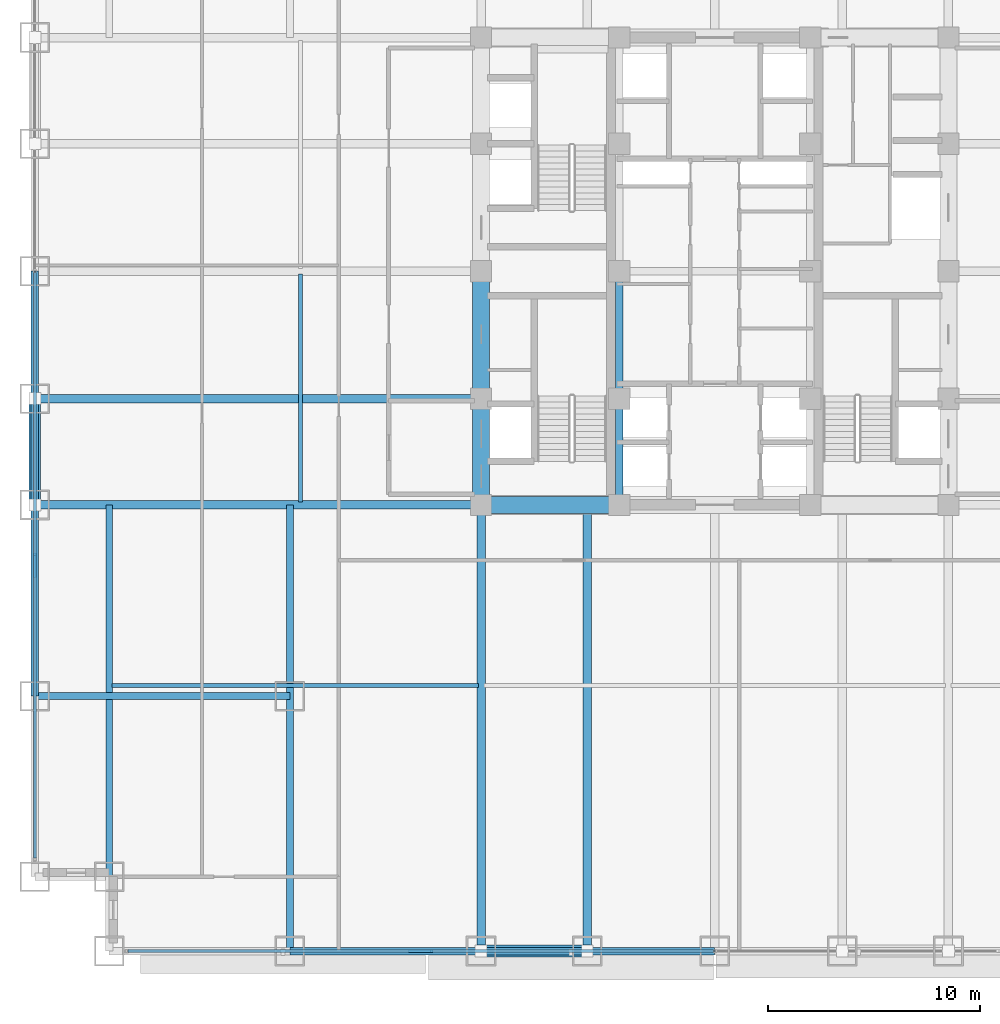
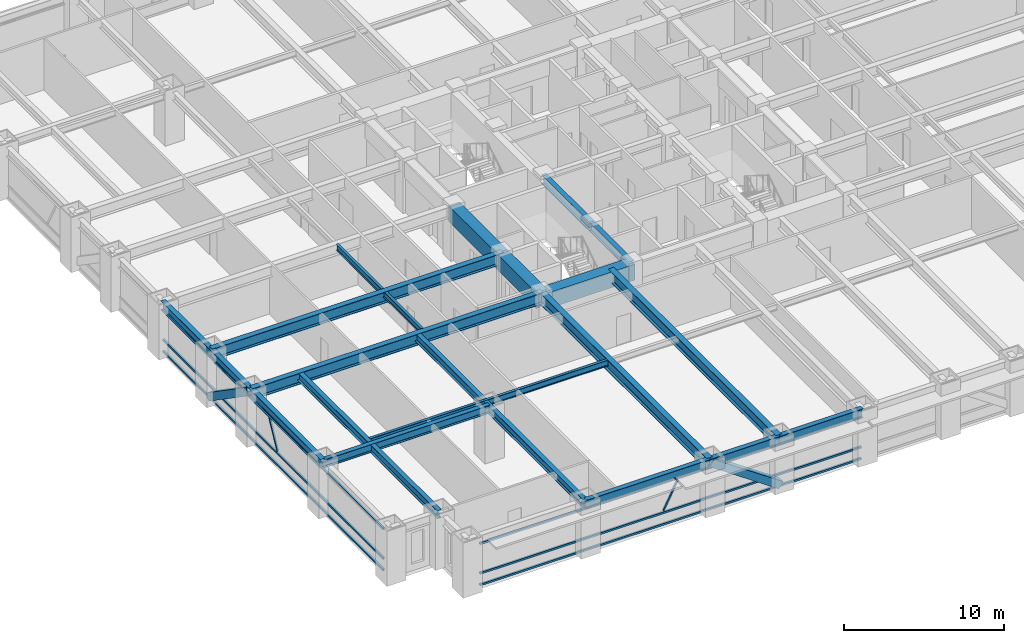
# One storey, part 3 of 32: 20 beams, 10 members, 2 elements without a shape of their own.
"""IFC4 building model written with IfcOpenShell, lengths in metres."""

import ifcopenshell
import ifcopenshell.guid

model = None  # the IFC model being written
_history = None  # IfcOwnerHistory: only IFC2X3 demands one
_inside = {}  # id of a spatial element -> (the spatial element, [elements in it])
_under = {}  # id of a project, library or spatial element -> (it, [spatial elements below it])
_declared = {}  # id of a project -> (the project, [libraries it declares])
_typed = {}  # id of a type object -> (the type object, [elements of that type])
_made_of = {}  # id of a material, layer set ... -> (it, [elements and type objects made of it])


def new_model(schema):
    """Start an empty IFC model of exactly this schema.

    Asked for "IFC4X3", IfcOpenShell would pick the latest addendum, in which some entities
    have other attributes; the version numbers below select the first issue.
    IFC2X3 requires an IfcOwnerHistory on every rooted entity: one is made here for all.
    """
    global model, _history
    if schema == "IFC4X3":
        model = ifcopenshell.file(schema_version=(4, 3, 0, 0))
    else:
        model = ifcopenshell.file(schema=schema)
    _inside.clear()
    _under.clear()
    _declared.clear()
    _typed.clear()
    _made_of.clear()
    _history = None
    if model.schema == "IFC2X3":
        org = make("IfcOrganization", Name="unknown")
        user = make(
            "IfcPersonAndOrganization",
            ThePerson=make("IfcPerson", FamilyName="unknown"),
            TheOrganization=org,
        )
        app = make(
            "IfcApplication",
            ApplicationDeveloper=org,
            Version="unknown",
            ApplicationFullName="unknown",
            ApplicationIdentifier="unknown",
        )
        _history = make(
            "IfcOwnerHistory",
            OwningUser=user,
            OwningApplication=app,
            ChangeAction="ADDED",
            CreationDate=0,
        )
    return model


def make(cls, **values):
    """One entity of the class cls with the attributes given. An attribute that is None is left unset."""
    return model.create_entity(
        cls, **{name: value for name, value in values.items() if value is not None}
    )


def rooted(cls, **values):
    """An entity with a GlobalId (a new one), such as an element, a storey or a relation."""
    return make(cls, GlobalId=ifcopenshell.guid.new(), OwnerHistory=_history, **values)


def si_unit(unit_type, name, prefix=None):
    """IfcSIUnit, for example si_unit("LENGTHUNIT", "METRE", prefix="MILLI")."""
    return make("IfcSIUnit", UnitType=unit_type, Prefix=prefix, Name=name)


def assignment(units):
    """IfcUnitAssignment: the units of a project."""
    return None if units is None else make("IfcUnitAssignment", Units=units)


def point(xyz):
    """IfcCartesianPoint."""
    return None if xyz is None else make("IfcCartesianPoint", Coordinates=xyz)


def direction(xyz):
    """IfcDirection."""
    return None if xyz is None else make("IfcDirection", DirectionRatios=xyz)


def frame(location, z_axis=None, x_axis=None):
    """IfcAxis2Placement3D, a coordinate frame: its origin and axes. An axis left out is left unset."""
    return make(
        "IfcAxis2Placement3D",
        Location=point(location),
        Axis=direction(z_axis),
        RefDirection=direction(x_axis),
    )


def frame_2d(location, x_axis=None):
    """IfcAxis2Placement2D, a coordinate frame in the plane: its origin and x axis."""
    return make(
        "IfcAxis2Placement2D", Location=point(location), RefDirection=direction(x_axis)
    )


def origin():
    """The frame at (0, 0, 0) with its axes left unset."""
    return frame((0.0, 0.0, 0.0))


def origin_2d():
    """The frame at (0, 0) in the plane with its x axis left unset."""
    return frame_2d((0.0, 0.0))


def place(relative_to, where):
    """IfcLocalPlacement: puts the frame where relative to a parent placement (None: the world)."""
    return make(
        "IfcLocalPlacement", PlacementRelTo=relative_to, RelativePlacement=where
    )


def context(
    kind, dimensions, precision=None, world=None, true_north=None, identifier=None
):
    """IfcGeometricRepresentationContext, for example the 3D "Model" context."""
    return make(
        "IfcGeometricRepresentationContext",
        ContextIdentifier=identifier,
        ContextType=kind,
        CoordinateSpaceDimension=dimensions,
        Precision=precision,
        WorldCoordinateSystem=world,
        TrueNorth=true_north,
    )


def subcontext(parent, identifier, kind, view, scale=None):
    """IfcGeometricRepresentationSubContext, for example "Body" below "Model"."""
    return make(
        "IfcGeometricRepresentationSubContext",
        ContextIdentifier=identifier,
        ContextType=kind,
        ParentContext=parent,
        TargetScale=scale,
        TargetView=view,
    )


def project(units=None, contexts=None):
    """IfcProject with its units and contexts."""
    return rooted(
        "IfcProject",
        Name="project",
        RepresentationContexts=contexts,
        UnitsInContext=assignment(units),
    )


def spatial(cls, under=None, at=None, **own):
    """A site, building, storey or space (cls), placed at a placement, below another one or the project."""
    s = rooted(cls, ObjectPlacement=at, **own)
    if under is not None:
        _under.setdefault(under.id(), (under, []))[1].append(s)
    return s


def profile(cls, at=None, kind="AREA", **sizes):
    """A parametric profile (cls). Its sizes go by their IFC names, for example OverallWidth=200.0."""
    return make(cls, ProfileType=kind, Position=at, **sizes)


def rectangle(**sizes):
    """IfcRectangleProfileDef."""
    return profile("IfcRectangleProfileDef", **sizes)


def hollow_rectangle(**sizes):
    """IfcRectangleHollowProfileDef."""
    return profile("IfcRectangleHollowProfileDef", **sizes)


def i_section(**sizes):
    """IfcIShapeProfileDef."""
    return profile("IfcIShapeProfileDef", **sizes)


def extrude(swept, where, along, depth):
    """IfcExtrudedAreaSolid: the profile swept, set in the frame where, extruded along a direction by depth."""
    return make(
        "IfcExtrudedAreaSolid",
        SweptArea=swept,
        Position=where,
        ExtrudedDirection=direction(along),
        Depth=depth,
    )


def shape(context_of_items, identifier, shape_type, items):
    """IfcShapeRepresentation: the items that make up one representation, for example the "Body"."""
    return make(
        "IfcShapeRepresentation",
        ContextOfItems=context_of_items,
        RepresentationIdentifier=identifier,
        RepresentationType=shape_type,
        Items=items,
    )


def source(mapping_origin, context_of_items, identifier, shape_type, items):
    """IfcRepresentationMap: a shape defined once, which mapped items show again and again."""
    return make(
        "IfcRepresentationMap",
        MappingOrigin=mapping_origin,
        MappedRepresentation=shape(context_of_items, identifier, shape_type, items),
    )


def transform(
    local_origin,
    x_axis=None,
    y_axis=None,
    z_axis=None,
    scale=None,
    scale2=None,
    scale3=None,
    uniform=True,
):
    """IfcCartesianTransformationOperator3D, or its non-uniform kind. x_axis, y_axis, z_axis: its Axis1, 2, 3."""
    if uniform:
        return make(
            "IfcCartesianTransformationOperator3D",
            Axis1=direction(x_axis),
            Axis2=direction(y_axis),
            LocalOrigin=point(local_origin),
            Scale=scale,
            Axis3=direction(z_axis),
        )
    return make(
        "IfcCartesianTransformationOperator3DnonUniform",
        Axis1=direction(x_axis),
        Axis2=direction(y_axis),
        LocalOrigin=point(local_origin),
        Scale=scale,
        Axis3=direction(z_axis),
        Scale2=scale2,
        Scale3=scale3,
    )


def mapped(mapping_source, mapping_target):
    """IfcMappedItem: shows the shape of a source again, moved by a transform."""
    return make(
        "IfcMappedItem", MappingSource=mapping_source, MappingTarget=mapping_target
    )


def material(Name=None, Category=None):
    """IfcMaterial."""
    return make("IfcMaterial", Name=Name, Category=Category)


def material_profile(
    of_material, cross_section, Name=None, Category=None, Priority=None
):
    """IfcMaterialProfile: a cross section and its material."""
    return make(
        "IfcMaterialProfile",
        Name=Name,
        Material=of_material,
        Profile=cross_section,
        Priority=Priority,
        Category=Category,
    )


def profile_set(profiles, Name=None, composite=None):
    """IfcMaterialProfileSet."""
    return make(
        "IfcMaterialProfileSet",
        Name=Name,
        MaterialProfiles=profiles,
        CompositeProfile=composite,
    )


def made_of(thing, what):
    """Note that an element or type object is made of a material, layer set ...; save() writes the relation."""
    if what is not None:
        _made_of.setdefault(what.id(), (what, []))[1].append(thing)
    return thing


def type_object(cls, material=None, **own):
    """A type object (cls), such as IfcWallType, which elements share."""
    return made_of(rooted(cls, **own), material)


def element(
    cls,
    number,
    at=None,
    inside=None,
    cuts=None,
    type_object=None,
    material=None,
    context=None,
    identifier="Body",
    shape_type=None,
    held_by="IfcProductDefinitionShape",
    body=None,
    shapes=None,
    **own,
):
    """One element of the class cls, such as IfcWall. Its Tag is "e" and its number.

    at: its placement. inside: the storey or other place that contains it. cuts: it is an
    opening in that element (IfcRelVoidsElement). A single representation is given by context,
    identifier, shape_type and body (its items); several are given by shapes. held_by: the class
    of the entity that holds the representations. save() writes the other relations.
    """
    e = rooted(cls, Tag="e%d" % number, ObjectPlacement=at, **own)
    if body is not None:
        shapes = [shape(context, identifier, shape_type, body)]
    if shapes is not None:
        e.Representation = make(held_by, Representations=shapes)
    if inside is not None:
        _inside.setdefault(inside.id(), (inside, []))[1].append(e)
    if cuts is not None:
        rooted(
            "IfcRelVoidsElement", RelatingBuildingElement=cuts, RelatedOpeningElement=e
        )
    if type_object is not None:
        _typed.setdefault(type_object.id(), (type_object, []))[1].append(e)
    return made_of(e, material)


def aggregate(whole, parts):
    """IfcRelAggregates: a whole, such as a stair, and the parts it consists of."""
    return rooted("IfcRelAggregates", RelatingObject=whole, RelatedObjects=parts)


def save(model, path):
    """Write the relations noted so far, then the file.

    IfcRelAggregates (storeys below a building ...), IfcRelContainedInSpatialStructure (elements
    in a storey), IfcRelDefinesByType, IfcRelAssociatesMaterial and IfcRelDeclares: one each for
    every whole, place, type object, material and project.
    """
    for whole, parts in _under.values():
        aggregate(whole, parts)
    for where, things in _inside.values():
        rooted(
            "IfcRelContainedInSpatialStructure",
            RelatedElements=things,
            RelatingStructure=where,
        )
    for kind, things in _typed.values():
        rooted("IfcRelDefinesByType", RelatedObjects=things, RelatingType=kind)
    for what, things in _made_of.values():
        rooted("IfcRelAssociatesMaterial", RelatedObjects=things, RelatingMaterial=what)
    for by, libraries in _declared.values():
        rooted("IfcRelDeclares", RelatingContext=by, RelatedDefinitions=libraries)
    model.write(path)


model = new_model("IFC4")

# Units and contexts
model_context = context("Model", 3, precision=1e-05, world=origin(), true_north=direction((0.0, 1.0)))
body_context = subcontext(model_context, "Body", "Model", "MODEL_VIEW")
ifc_project = project(units=[si_unit("LENGTHUNIT", "METRE"), si_unit("AREAUNIT", "SQUARE_METRE"), si_unit("VOLUMEUNIT", "CUBIC_METRE"), si_unit("PLANEANGLEUNIT", "RADIAN"), si_unit("MASSUNIT", "GRAM", prefix="KILO")], contexts=[model_context])

# Site, building, storey
site_placement = place(None, origin())
site = spatial("IfcSite", under=ifc_project, at=site_placement, CompositionType="ELEMENT")
building_placement = place(site_placement, origin())
building = spatial("IfcBuilding", under=site, at=building_placement, Name="Khorayat Bourse Tower", CompositionType="ELEMENT")
storey_placement = place(building_placement, frame((0.0, 0.0, 74.60009765625)))
storey = spatial("IfcBuildingStorey", under=building, at=storey_placement, Name="L16", CompositionType="ELEMENT", Elevation=74.60009765625)

# Beams
ifc_material_1 = material(Name="Concrete C72/90", Category="concrete")
ifc_material_profile_1 = material_profile(ifc_material_1, rectangle(XDim=0.800048828125, YDim=1.199951171875, at=origin_2d()), Name="RC 800x1200")
ifc_profile_set_1 = profile_set([ifc_material_profile_1], Name="Concrete C72/90")
beam_type_1 = type_object("IfcBeamType", Name="BM-COUP-1200", PredefinedType="BEAM", material=ifc_profile_set_1)
shared_shape_1 = source(origin(), body_context, "Body", "SweptSolid", [
    extrude(rectangle(XDim=0.800048828125, YDim=1.199951171875, at=origin_2d()), origin(), (0.0, 0.0, 1.0), 5.0),
])
beam_1_placement = place(storey_placement, frame((-11.0, -11.0, 3.33984375), z_axis=(0.0, 1.0, 0.0), x_axis=(-1.0, 0.0, 0.0)))
element("IfcBeam", 1, at=beam_1_placement, inside=storey, type_object=beam_type_1, Name="L16 BM-COUP-1200 BM-L16-CRX-01", PredefinedType="BEAM", context=body_context, shape_type="MappedRepresentation", body=[
    mapped(shared_shape_1, transform((0.0, 0.0, 0.0), scale=1.0)),
])
shared_shape_2 = source(origin(), body_context, "Body", "SweptSolid", [
    extrude(rectangle(XDim=0.800048828125, YDim=1.199951171875, at=origin_2d()), origin(), (0.0, 0.0, 1.0), 6.0),
])
beam_2_placement = place(storey_placement, frame((-11.0, -6.0, 3.33984375), z_axis=(0.0, 1.0, 0.0), x_axis=(-1.0, 0.0, 0.0)))
element("IfcBeam", 2, at=beam_2_placement, inside=storey, type_object=beam_type_1, Name="L16 BM-COUP-1200 BM-L16-CRX-02", PredefinedType="BEAM", context=body_context, shape_type="MappedRepresentation", body=[
    mapped(shared_shape_2, transform((0.0, 0.0, 0.0), scale=1.0)),
])
ifc_material_2 = material(Name="Steel ASTM A992 Grade 50", Category="steel")
ifc_material_profile_2 = material_profile(ifc_material_2, i_section(OverallWidth=0.35498046875, OverallDepth=0.695068359375, WebThickness=0.015380859375, FlangeThickness=0.02490234375, FilletRadius=0.01806640625, at=origin_2d()), Name="W690X217")
ifc_profile_set_2 = profile_set([ifc_material_profile_2], Name="Steel ASTM A992 Grade 50")
beam_type_2 = type_object("IfcBeamType", Name="BM-GIRD-690", PredefinedType="BEAM", material=ifc_profile_set_2)
shared_shape_3 = source(origin(), body_context, "Body", "SweptSolid", [
    extrude(i_section(OverallWidth=0.35498046875, OverallDepth=0.695068359375, WebThickness=0.015380859375, FlangeThickness=0.02490234375, FilletRadius=0.01806640625, at=origin_2d()), origin(), (0.0, 0.0, 1.0), 5.0),
])
beam_3_placement = place(storey_placement, frame((-4.5, -11.0, 3.59228515625), z_axis=(0.0, 1.0, 0.0), x_axis=(-1.0, 0.0, 0.0)))
element("IfcBeam", 3, at=beam_3_placement, inside=storey, type_object=beam_type_2, Name="L16 BM-GIRD-690 BM-L16-CRX-05", PredefinedType="BEAM", context=body_context, shape_type="MappedRepresentation", body=[
    mapped(shared_shape_3, transform((0.0, 0.0, 0.0), scale=1.0)),
])
shared_shape_4 = source(origin(), body_context, "Body", "SweptSolid", [
    extrude(i_section(OverallWidth=0.35498046875, OverallDepth=0.695068359375, WebThickness=0.015380859375, FlangeThickness=0.02490234375, FilletRadius=0.01806640625, at=origin_2d()), origin(), (0.0, 0.0, 1.0), 6.0),
])
beam_4_placement = place(storey_placement, frame((-4.5, -6.0, 3.59228515625), z_axis=(0.0, 1.0, 0.0), x_axis=(-1.0, 0.0, 0.0)))
element("IfcBeam", 4, at=beam_4_placement, inside=storey, type_object=beam_type_2, Name="L16 BM-GIRD-690 BM-L16-CRX-06", PredefinedType="BEAM", context=body_context, shape_type="MappedRepresentation", body=[
    mapped(shared_shape_4, transform((0.0, 0.0, 0.0), scale=1.0)),
])
shared_shape_5 = source(origin(), body_context, "Body", "SweptSolid", [
    extrude(rectangle(XDim=0.800048828125, YDim=1.199951171875, at=origin_2d()), origin(), (0.0, 0.0, 1.0), 6.5),
])
beam_5_placement = place(storey_placement, frame((-11.0, -11.0, 3.33984375), z_axis=(1.0, 0.0, 0.0), x_axis=(0.0, 1.0, 0.0)))
element("IfcBeam", 5, at=beam_5_placement, inside=storey, type_object=beam_type_1, Name="L16 BM-COUP-1200 BM-L16-CRY-17", PredefinedType="BEAM", context=body_context, shape_type="MappedRepresentation", body=[
    mapped(shared_shape_5, transform((0.0, 0.0, 0.0), scale=1.0)),
])
ifc_material_profile_3 = material_profile(ifc_material_2, i_section(OverallWidth=0.35498046875, OverallDepth=0.695068359375, WebThickness=0.015380859375, FlangeThickness=0.02490234375, FilletRadius=0.01806640625, at=origin_2d()), Name="W690X217")
ifc_profile_set_3 = profile_set([ifc_material_profile_3], Name="Steel ASTM A992 Grade 50")
beam_type_3 = type_object("IfcBeamType", Name="BM-SPAN-690", PredefinedType="SPANDREL", material=ifc_profile_set_3)
shared_shape_6 = source(origin(), body_context, "Body", "SweptSolid", [
    extrude(i_section(OverallWidth=0.35498046875, OverallDepth=0.695068359375, WebThickness=0.015380859375, FlangeThickness=0.02490234375, FilletRadius=0.01806640625, at=origin_2d()), origin(), (0.0, 0.0, 1.0), 9.0),
])
for number, where, z_axis, x_axis, name in (
    (6, (-20.0, -32.0, 3.59228515625), (1.0, 0.0, 0.0), (0.0, 1.0, 0.0), "L16 BM-SPAN-690 BM-L16-SPN-025"),
    (7, (-32.0, -20.0, 3.59228515625), (0.0, 1.0, 0.0), (-1.0, 0.0, 0.0), "L16 BM-SPAN-690 BM-L16-SPN-060"),
):
    element("IfcBeam", number, at=place(storey_placement, frame(where, z_axis=z_axis, x_axis=x_axis)), inside=storey, type_object=beam_type_3, Name=name, PredefinedType="SPANDREL", context=body_context, shape_type="MappedRepresentation", body=[
        mapped(shared_shape_6, transform((0.0, 0.0, 0.0), scale=1.0)),
    ])
shared_shape_7 = source(origin(), body_context, "Body", "SweptSolid", [
    extrude(i_section(OverallWidth=0.35498046875, OverallDepth=0.695068359375, WebThickness=0.015380859375, FlangeThickness=0.02490234375, FilletRadius=0.01806640625, at=origin_2d()), origin(), (0.0, 0.0, 1.0), 5.0),
])
for number, where, z_axis, x_axis, name in (
    (8, (-11.0, -32.0, 3.59228515625), (1.0, 0.0, 0.0), (0.0, 1.0, 0.0), "L16 BM-SPAN-690 BM-L16-SPN-026"),
    (9, (-32.0, -11.0, 3.59228515625), (0.0, 1.0, 0.0), (-1.0, 0.0, 0.0), "L16 BM-SPAN-690 BM-L16-SPN-059"),
):
    element("IfcBeam", number, at=place(storey_placement, frame(where, z_axis=z_axis, x_axis=x_axis)), inside=storey, type_object=beam_type_3, Name=name, PredefinedType="SPANDREL", context=body_context, shape_type="MappedRepresentation", body=[
        mapped(shared_shape_7, transform((0.0, 0.0, 0.0), scale=1.0)),
    ])
shared_shape_8 = source(origin(), body_context, "Body", "SweptSolid", [
    extrude(i_section(OverallWidth=0.35498046875, OverallDepth=0.695068359375, WebThickness=0.015380859375, FlangeThickness=0.02490234375, FilletRadius=0.01806640625, at=origin_2d()), origin(), (0.0, 0.0, 1.0), 6.0),
])
for number, where, z_axis, x_axis, name in (
    (10, (-6.0, -32.0, 3.59228515625), (1.0, 0.0, 0.0), (0.0, 1.0, 0.0), "L16 BM-SPAN-690 BM-L16-SPN-027"),
    (11, (-32.0, -6.0, 3.59228515625), (0.0, 1.0, 0.0), (-1.0, 0.0, 0.0), "L16 BM-SPAN-690 BM-L16-SPN-058"),
):
    element("IfcBeam", number, at=place(storey_placement, frame(where, z_axis=z_axis, x_axis=x_axis)), inside=storey, type_object=beam_type_3, Name=name, PredefinedType="SPANDREL", context=body_context, shape_type="MappedRepresentation", body=[
        mapped(shared_shape_8, transform((0.0, 0.0, 0.0), scale=1.0)),
    ])
ifc_material_profile_4 = material_profile(ifc_material_2, i_section(OverallWidth=0.39990234375, OverallDepth=0.85498046875, WebThickness=0.018310546875, FlangeThickness=0.029296875, FilletRadius=0.02001953125, at=origin_2d()), Name="W840X299")
ifc_profile_set_4 = profile_set([ifc_material_profile_4], Name="Steel ASTM A992 Grade 50")
beam_type_4 = type_object("IfcBeamType", Name="BM-GIRD-840", PredefinedType="BEAM", material=ifc_profile_set_4)
shared_shape_9 = source(origin(), body_context, "Body", "SweptSolid", [
    extrude(i_section(OverallWidth=0.39990234375, OverallDepth=0.85498046875, WebThickness=0.018310546875, FlangeThickness=0.029296875, FilletRadius=0.02001953125, at=origin_2d()), origin(), (0.0, 0.0, 1.0), 21.0),
])
for number, where, z_axis, x_axis, name in (
    (12, (-11.0, -32.0, 3.512451171875), (0.0, 1.0, 0.0), (-1.0, 0.0, 0.0), "L16 BM-GIRD-840 BM-L16-RADY-065"),
    (13, (-6.0, -32.0, 3.512451171875), (0.0, 1.0, 0.0), (-1.0, 0.0, 0.0), "L16 BM-GIRD-840 BM-L16-RADY-067"),
    (14, (-32.0, -11.0, 3.512451171875), (1.0, 0.0, 0.0), (0.0, 1.0, 0.0), "L16 BM-GIRD-840 BM-L16-RADX-075"),
    (15, (-32.0, -6.0, 3.512451171875), (1.0, 0.0, 0.0), (0.0, 1.0, 0.0), "L16 BM-GIRD-840 BM-L16-RADX-077"),
):
    element("IfcBeam", number, at=place(storey_placement, frame(where, z_axis=z_axis, x_axis=x_axis)), inside=storey, type_object=beam_type_4, Name=name, PredefinedType="BEAM", context=body_context, shape_type="MappedRepresentation", body=[
        mapped(shared_shape_9, transform((0.0, 0.0, 0.0), scale=1.0)),
    ])
ifc_material_profile_5 = material_profile(ifc_material_2, i_section(OverallWidth=0.324951171875, OverallDepth=0.615966796875, WebThickness=0.013916015625, FlangeThickness=0.021484375, FilletRadius=0.01611328125, at=origin_2d()), Name="W610X174")
ifc_profile_set_5 = profile_set([ifc_material_profile_5], Name="Steel ASTM A992 Grade 50")
beam_type_5 = type_object("IfcBeamType", Name="BM-GIRD-610", PredefinedType="BEAM", material=ifc_profile_set_5)
shared_shape_10 = source(origin(), body_context, "Body", "SweptSolid", [
    extrude(i_section(OverallWidth=0.324951171875, OverallDepth=0.615966796875, WebThickness=0.013916015625, FlangeThickness=0.021484375, FilletRadius=0.01611328125, at=origin_2d()), origin(), (0.0, 0.0, 1.0), 21.0),
])
beam_6_placement = place(storey_placement, frame((-20.0, -32.0, 3.6318359375), z_axis=(0.0, 1.0, 0.0), x_axis=(-1.0, 0.0, 0.0)))
element("IfcBeam", 16, at=beam_6_placement, inside=storey, type_object=beam_type_5, Name="L16 BM-GIRD-610 BM-L16-CNRY-084", PredefinedType="BEAM", context=body_context, shape_type="MappedRepresentation", body=[
    mapped(shared_shape_10, transform((0.0, 0.0, 0.0), scale=1.0)),
])
shared_shape_11 = source(origin(), body_context, "Body", "SweptSolid", [
    extrude(i_section(OverallWidth=0.324951171875, OverallDepth=0.615966796875, WebThickness=0.013916015625, FlangeThickness=0.021484375, FilletRadius=0.01611328125, at=origin_2d()), origin(), (0.0, 0.0, 1.0), 17.5),
])
beam_7_placement = place(storey_placement, frame((-28.5, -28.5, 3.6318359375), z_axis=(0.0, 1.0, 0.0), x_axis=(-1.0, 0.0, 0.0)))
element("IfcBeam", 17, at=beam_7_placement, inside=storey, type_object=beam_type_5, Name="L16 BM-GIRD-610 BM-L16-CNRY-088", PredefinedType="BEAM", context=body_context, shape_type="MappedRepresentation", body=[
    mapped(shared_shape_11, transform((0.0, 0.0, 0.0), scale=1.0)),
])
shared_shape_12 = source(origin(), body_context, "Body", "SweptSolid", [
    extrude(i_section(OverallWidth=0.324951171875, OverallDepth=0.615966796875, WebThickness=0.013916015625, FlangeThickness=0.021484375, FilletRadius=0.01611328125, at=origin_2d()), origin(), (0.0, 0.0, 1.0), 12.0),
])
beam_8_placement = place(storey_placement, frame((-32.0, -20.0, 3.6318359375), z_axis=(1.0, 0.0, 0.0), x_axis=(0.0, 1.0, 0.0)))
element("IfcBeam", 18, at=beam_8_placement, inside=storey, type_object=beam_type_5, Name="L16 BM-GIRD-610 BM-L16-CNRX-093", PredefinedType="BEAM", context=body_context, shape_type="MappedRepresentation", body=[
    mapped(shared_shape_12, transform((0.0, 0.0, 0.0), scale=1.0)),
])
ifc_material_profile_6 = material_profile(ifc_material_2, i_section(OverallWidth=0.194091796875, OverallDepth=0.468994140625, WebThickness=0.0126953125, FlangeThickness=0.0205078125, FilletRadius=0.012939453125, at=origin_2d()), Name="W460X106")
ifc_profile_set_6 = profile_set([ifc_material_profile_6], Name="Steel ASTM A992 Grade 50")
beam_type_6 = type_object("IfcBeamType", Name="BM-JOIST-460", PredefinedType="JOIST", material=ifc_profile_set_6)
shared_shape_13 = source(origin(), body_context, "Body", "SweptSolid", [
    extrude(i_section(OverallWidth=0.194091796875, OverallDepth=0.468994140625, WebThickness=0.0126953125, FlangeThickness=0.0205078125, FilletRadius=0.012939453125, at=origin_2d()), origin(), (0.0, 0.0, 1.0), 17.240234375),
])
beam_9_placement = place(storey_placement, frame((-28.3701171875, -19.5, 3.705322265625), z_axis=(1.0, 0.0, 0.0), x_axis=(0.0, 1.0, 0.0)))
element("IfcBeam", 19, at=beam_9_placement, inside=storey, type_object=beam_type_6, Name="L16 BM-JOIST-460 BM-L16-JSTX-096", PredefinedType="JOIST", context=body_context, shape_type="MappedRepresentation", body=[
    mapped(shared_shape_13, transform((0.0, 0.0, 0.0), scale=1.0)),
])
shared_shape_14 = source(origin(), body_context, "Body", "SweptSolid", [
    extrude(i_section(OverallWidth=0.194091796875, OverallDepth=0.468994140625, WebThickness=0.0126953125, FlangeThickness=0.0205078125, FilletRadius=0.012939453125, at=origin_2d()), origin(), (0.0, 0.0, 1.0), 10.740234375),
])
beam_10_placement = place(storey_placement, frame((-19.5, -10.8701171875, 3.705322265625), z_axis=(0.0, 1.0, 0.0), x_axis=(-1.0, 0.0, 0.0)))
element("IfcBeam", 20, at=beam_10_placement, inside=storey, type_object=beam_type_6, Name="L16 BM-JOIST-460 BM-L16-JSTY-102", PredefinedType="JOIST", context=body_context, shape_type="MappedRepresentation", body=[
    mapped(shared_shape_14, transform((0.0, 0.0, 0.0), scale=1.0)),
])

# Members
ifc_material_3 = material(Name="Steel EN 10025-4 S460M", Category="steel")
ifc_material_profile_7 = material_profile(ifc_material_3, hollow_rectangle(XDim=0.550048828125, YDim=0.550048828125, WallThickness=0.031982421875, at=origin_2d()), Name="HSS 550x550x32")
ifc_profile_set_7 = profile_set([ifc_material_profile_7], Name="Steel EN 10025-4 S460M")
member_type_1 = type_object("IfcMemberType", Name="MBR-TUBE-550", PredefinedType="BRACE", material=ifc_profile_set_7)
shared_shape_15 = source(origin(), body_context, "Body", "SweptSolid", [
    extrude(hollow_rectangle(XDim=0.550048828125, YDim=0.550048828125, WallThickness=0.031982421875, at=origin_2d()), origin(), (0.0, 0.0, 1.0), 6.069091796875),
])
for number, where, z_axis, x_axis, name in (
    (21, (-11.0, -32.0, 3.68994140625), (0.823854080622, 0.0, -0.566801952928), (0.0, 1.0, 0.0), "L16 Perimeter Tube Brace 01"),
    (22, (-32.0, -11.0, 3.68994140625), (0.0, 0.823854080622, -0.566801952928), (-1.0, 0.0, 0.0), "L16 Perimeter Tube Brace 05"),
):
    element("IfcMember", number, at=place(storey_placement, frame(where, z_axis=z_axis, x_axis=x_axis)), inside=storey, type_object=member_type_1, Name=name, PredefinedType="BRACE", context=body_context, shape_type="MappedRepresentation", body=[
        mapped(shared_shape_15, transform((0.0, 0.0, 0.0), scale=1.0)),
    ])

# Curtain wall, member
ifc_material_4 = material(Name="Aluminium EN AW-6063 T6", Category="aluminium")
curtain_wall_type = type_object("IfcCurtainWallType", Name="CW-SYS-02", PredefinedType="NOTDEFINED", material=ifc_material_4)
curtain_wall_1_placement = place(storey_placement, origin())
curtain_wall_1 = element("IfcCurtainWall", 23, at=curtain_wall_1_placement, inside=storey, type_object=curtain_wall_type, Name="L16 Curtain Wall CW-L16-S1", PredefinedType="NOTDEFINED")
ifc_material_profile_8 = material_profile(ifc_material_4, hollow_rectangle(XDim=0.1201171875, YDim=0.1201171875, WallThickness=0.0048828125, at=origin_2d()), Name="ALU 120x120x5")
ifc_profile_set_8 = profile_set([ifc_material_profile_8], Name="Aluminium EN AW-6063 T6")
member_type_2 = type_object("IfcMemberType", Name="CWM-DIAG-120", PredefinedType="MULLION", material=ifc_profile_set_8)
shared_shape_16 = source(origin(), body_context, "Body", "SweptSolid", [
    extrude(hollow_rectangle(XDim=0.1201171875, YDim=0.1201171875, WallThickness=0.0048828125, at=origin_2d()), origin(), (0.0, 0.0, 1.0), 2.22607421875),
])
member_1_placement = place(storey_placement, frame((-14.3583984375, -32.0, 1.099853515625), z_axis=(0.465759992596, 0.0, 0.884911085532), x_axis=(0.0, 1.0, 0.0)))
member_1 = element("IfcMember", 24, at=member_1_placement, type_object=member_type_2, Name="CW-L16-S1 Faceted Diagonal Mullion 1", PredefinedType="MULLION", context=body_context, shape_type="MappedRepresentation", body=[
    mapped(shared_shape_16, transform((0.0, 0.0, 0.0), scale=1.0)),
])

curtain_wall_2_placement = place(storey_placement, origin())
curtain_wall_2 = element("IfcCurtainWall", 25, at=curtain_wall_2_placement, inside=storey, type_object=curtain_wall_type, Name="L16 Curtain Wall CW-L16-W1", PredefinedType="NOTDEFINED")
member_2_placement = place(storey_placement, frame((-32.0, -14.3583984375, 1.099853515625), z_axis=(0.0, 0.465759992596, 0.884911085532), x_axis=(-1.0, 0.0, 0.0)))
member_2 = element("IfcMember", 26, at=member_2_placement, type_object=member_type_2, Name="CW-L16-W1 Faceted Diagonal Mullion 1", PredefinedType="MULLION", context=body_context, shape_type="MappedRepresentation", body=[
    mapped(shared_shape_16, transform((0.0, 0.0, 0.0), scale=1.0)),
])

# Member
ifc_material_profile_9 = material_profile(ifc_material_4, hollow_rectangle(XDim=0.139892578125, YDim=0.139892578125, WallThickness=0.006103515625, at=origin_2d()), Name="ALU 140x140x6")
ifc_profile_set_9 = profile_set([ifc_material_profile_9], Name="Aluminium EN AW-6063 T6")
member_type_3 = type_object("IfcMemberType", Name="CWT-HORZ-140", PredefinedType="USERDEFINED", material=ifc_profile_set_9)
shared_shape_17 = source(origin(), body_context, "Body", "SweptSolid", [
    extrude(hollow_rectangle(XDim=0.139892578125, YDim=0.139892578125, WallThickness=0.006103515625, at=origin_2d()), origin(), (0.0, 0.0, 1.0), 27.5400390625),
])
member_3_placement = place(storey_placement, frame((-27.610107421875, -32.0, 0.06982421875), z_axis=(1.0, 0.0, 0.0), x_axis=(0.0, 1.0, 0.0)))
member_3 = element("IfcMember", 27, at=member_3_placement, type_object=member_type_3, Name="CW-L16-S1 Horizontal Transom 1-1", ObjectType="TRANSOM", PredefinedType="USERDEFINED", context=body_context, shape_type="MappedRepresentation", body=[
    mapped(shared_shape_17, transform((0.0, 0.0, 0.0), scale=1.0)),
])

member_4_placement = place(storey_placement, frame((-27.610107421875, -32.0, 0.949951171875), z_axis=(1.0, 0.0, 0.0), x_axis=(0.0, 1.0, 0.0)))
member_4 = element("IfcMember", 28, at=member_4_placement, type_object=member_type_3, Name="CW-L16-S1 Horizontal Transom 1-2", ObjectType="TRANSOM", PredefinedType="USERDEFINED", context=body_context, shape_type="MappedRepresentation", body=[
    mapped(shared_shape_17, transform((0.0, 0.0, 0.0), scale=1.0)),
])

member_5_placement = place(storey_placement, frame((-27.610107421875, -32.0, 3.219970703125), z_axis=(1.0, 0.0, 0.0), x_axis=(0.0, 1.0, 0.0)))
member_5 = element("IfcMember", 29, at=member_5_placement, type_object=member_type_3, Name="CW-L16-S1 Horizontal Transom 1-3", ObjectType="TRANSOM", PredefinedType="USERDEFINED", context=body_context, shape_type="MappedRepresentation", body=[
    mapped(shared_shape_17, transform((0.0, 0.0, 0.0), scale=1.0)),
])

aggregate(curtain_wall_1, [member_3, member_4, member_5, member_1])

member_6_placement = place(storey_placement, frame((-32.0, -27.610107421875, 0.06982421875), z_axis=(0.0, 1.0, 0.0), x_axis=(-1.0, 0.0, 0.0)))
member_6 = element("IfcMember", 30, at=member_6_placement, type_object=member_type_3, Name="CW-L16-W1 Horizontal Transom 1-1", ObjectType="TRANSOM", PredefinedType="USERDEFINED", context=body_context, shape_type="MappedRepresentation", body=[
    mapped(shared_shape_17, transform((0.0, 0.0, 0.0), scale=1.0)),
])

member_7_placement = place(storey_placement, frame((-32.0, -27.610107421875, 0.949951171875), z_axis=(0.0, 1.0, 0.0), x_axis=(-1.0, 0.0, 0.0)))
member_7 = element("IfcMember", 31, at=member_7_placement, type_object=member_type_3, Name="CW-L16-W1 Horizontal Transom 1-2", ObjectType="TRANSOM", PredefinedType="USERDEFINED", context=body_context, shape_type="MappedRepresentation", body=[
    mapped(shared_shape_17, transform((0.0, 0.0, 0.0), scale=1.0)),
])

member_8_placement = place(storey_placement, frame((-32.0, -27.610107421875, 3.219970703125), z_axis=(0.0, 1.0, 0.0), x_axis=(-1.0, 0.0, 0.0)))
member_8 = element("IfcMember", 32, at=member_8_placement, type_object=member_type_3, Name="CW-L16-W1 Horizontal Transom 1-3", ObjectType="TRANSOM", PredefinedType="USERDEFINED", context=body_context, shape_type="MappedRepresentation", body=[
    mapped(shared_shape_17, transform((0.0, 0.0, 0.0), scale=1.0)),
])

aggregate(curtain_wall_2, [member_6, member_7, member_8, member_2])

save(model, "model.ifc")
